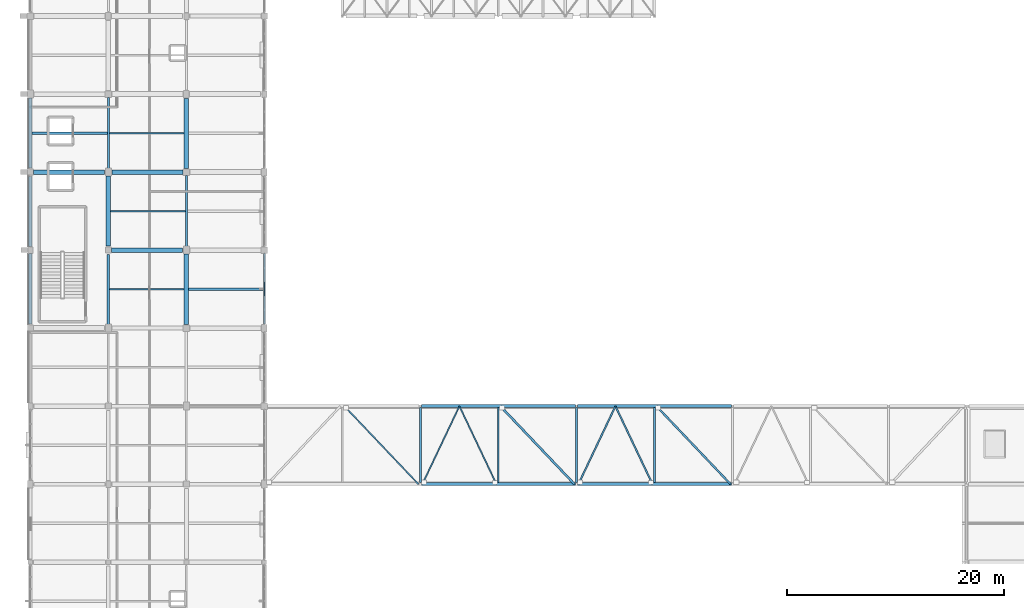
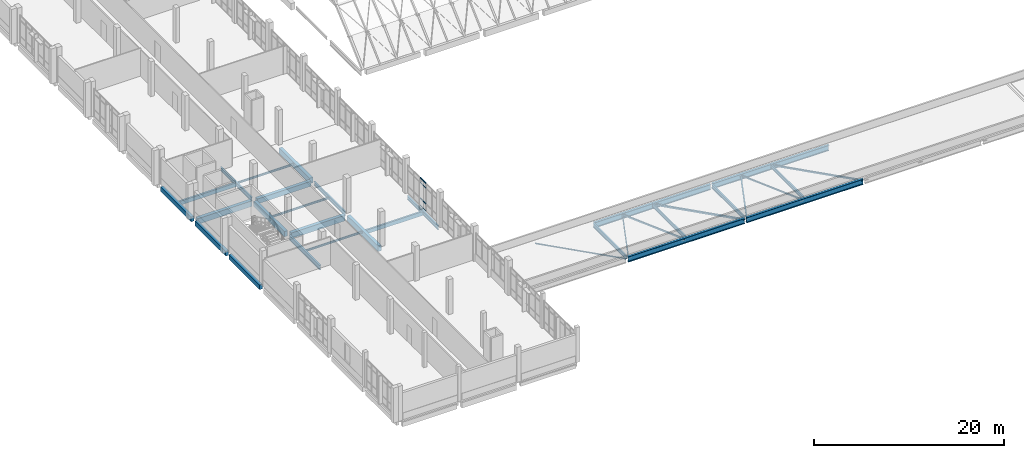
# One storey, part 15 of 87: 26 beams, 11 members, 1 element without a shape of its own.
"""IFC4 building model written with IfcOpenShell, lengths in metres."""

from ifc_helpers import new_model, si_unit, direction, frame, origin, origin_2d, place, context, subcontext, project, spatial, rectangle, hollow_rectangle, i_section, extrude, material, material_profile, profile_set, type_object, element, aggregate, save


model = new_model("IFC4")

# Units and contexts
model_context = context("Model", 3, precision=1e-05, world=origin(), true_north=direction((0.0, 1.0)))
body_context = subcontext(model_context, "Body", "Model", "MODEL_VIEW")
ifc_project = project(units=[si_unit("LENGTHUNIT", "METRE"), si_unit("AREAUNIT", "SQUARE_METRE"), si_unit("VOLUMEUNIT", "CUBIC_METRE"), si_unit("PLANEANGLEUNIT", "RADIAN"), si_unit("MASSUNIT", "GRAM", prefix="KILO")], contexts=[model_context])

# Site, building, storey
site_placement = place(None, origin())
site = spatial("IfcSite", under=ifc_project, at=site_placement, CompositionType="ELEMENT")
building_placement = place(site_placement, origin())
building = spatial("IfcBuilding", under=site, at=building_placement, Name="Kalluvel Institute of Natural Sciences", CompositionType="ELEMENT")
storey_placement = place(building_placement, frame((0.0, 0.0, 18.89990234375)))
storey = spatial("IfcBuildingStorey", under=building, at=storey_placement, Name="L04", CompositionType="ELEMENT", Elevation=18.89990234375)

# Beams
ifc_material_1 = material(Name="Steel E350 Grade 350", Category="steel")
ifc_material_profile_1 = material_profile(ifc_material_1, i_section(OverallWidth=0.14990234375, OverallDepth=0.449951171875, WebThickness=0.009521484375, FlangeThickness=0.017333984375, FilletRadius=0.014892578125, at=origin_2d()), Name="ISMB 450")
ifc_profile_set_1 = profile_set([ifc_material_profile_1], Name="Steel E350 Grade 350")
beam_type_1 = type_object("IfcBeamType", Name="BM-ISMB450", PredefinedType="BEAM", material=ifc_profile_set_1)
for number, where, z_axis, x_axis, name in (
    (1, (57.199951171875, 28.5400390625, -0.474853515625), (0.0, 1.0, 0.0), (-1.0, 0.0, 0.0), "L04 link bridge cross girder 73"),
    (2, (71.60009765625, 28.5400390625, -0.474853515625), (0.0, 1.0, 0.0), (-1.0, 0.0, 0.0), "L04 link bridge cross girder 75"),
):
    element("IfcBeam", number, at=place(storey_placement, frame(where, z_axis=z_axis, x_axis=x_axis)), inside=storey, type_object=beam_type_1, Name=name, PredefinedType="BEAM", context=body_context, shape_type="SweptSolid", body=[
        extrude(i_section(OverallWidth=0.14990234375, OverallDepth=0.449951171875, WebThickness=0.009521484375, FlangeThickness=0.017333984375, FilletRadius=0.014892578125, at=origin_2d()), origin(), (0.0, 0.0, 1.0), 6.919921875),
    ])
ifc_material_profile_2 = material_profile(ifc_material_1, i_section(OverallWidth=0.179931640625, OverallDepth=0.5, WebThickness=0.01025390625, FlangeThickness=0.01708984375, FilletRadius=0.01708984375, at=origin_2d()), Name="ISMB 500")
ifc_profile_set_2 = profile_set([ifc_material_profile_2], Name="Steel E350 Grade 350")
beam_type_2 = type_object("IfcBeamType", Name="BM-ISMB500", PredefinedType="BEAM", material=ifc_profile_set_2)
for number, where, z_axis, x_axis, name in (
    (3, (21.199951171875, 57.550048828125, -0.5498046875), (0.0, 1.0, 0.0), (-1.0, 0.0, 0.0), "L04 girder GIR-L04-NS-X212-Y572"),
    (4, (28.39990234375, 50.35009765625, -0.5498046875), (0.0, 1.0, 0.0), (-1.0, 0.0, 0.0), "L04 girder GIR-L04-NS-X284-Y500"),
):
    element("IfcBeam", number, at=place(storey_placement, frame(where, z_axis=z_axis, x_axis=x_axis)), inside=storey, type_object=beam_type_2, Name=name, PredefinedType="BEAM", context=body_context, shape_type="SweptSolid", body=[
        extrude(i_section(OverallWidth=0.179931640625, OverallDepth=0.5, WebThickness=0.01025390625, FlangeThickness=0.01708984375, FilletRadius=0.01708984375, at=origin_2d()), origin(), (0.0, 0.0, 1.0), 6.52490234375),
    ])
beam_1_placement = place(storey_placement, frame((35.60009765625, 43.199951171875, -0.5498046875), z_axis=(0.0, 1.0, 0.0), x_axis=(-1.0, 0.0, 0.0)))
element("IfcBeam", 5, at=beam_1_placement, inside=storey, type_object=beam_type_2, Name="L04 girder GIR-L04-NS-X356-Y428", PredefinedType="BEAM", context=body_context, shape_type="SweptSolid", body=[
    extrude(i_section(OverallWidth=0.179931640625, OverallDepth=0.5, WebThickness=0.01025390625, FlangeThickness=0.01708984375, FilletRadius=0.01708984375, at=origin_2d()), origin(), (0.0, 0.0, 1.0), 6.47509765625),
])
for number, where, z_axis, x_axis, name in (
    (6, (50.0, 28.5400390625, -0.5), (0.0, 1.0, 0.0), (-1.0, 0.0, 0.0), "L04 link bridge cross girder 72"),
    (7, (64.39990234375, 28.5400390625, -0.5), (0.0, 1.0, 0.0), (-1.0, 0.0, 0.0), "L04 link bridge cross girder 74"),
):
    element("IfcBeam", number, at=place(storey_placement, frame(where, z_axis=z_axis, x_axis=x_axis)), inside=storey, type_object=beam_type_2, Name=name, PredefinedType="BEAM", context=body_context, shape_type="SweptSolid", body=[
        extrude(i_section(OverallWidth=0.179931640625, OverallDepth=0.5, WebThickness=0.01025390625, FlangeThickness=0.01708984375, FilletRadius=0.01708984375, at=origin_2d()), origin(), (0.0, 0.0, 1.0), 6.919921875),
    ])
ifc_material_profile_3 = material_profile(ifc_material_1, i_section(OverallWidth=0.2099609375, OverallDepth=0.60009765625, WebThickness=0.011962890625, FlangeThickness=0.020751953125, FilletRadius=0.02001953125, at=origin_2d()), Name="ISMB 600")
ifc_profile_set_3 = profile_set([ifc_material_profile_3], Name="Steel E350 Grade 350")
beam_type_3 = type_object("IfcBeamType", Name="BM-ISMB600", PredefinedType="BEAM", material=ifc_profile_set_3)
beam_2_placement = place(storey_placement, frame((21.199951171875, 43.14990234375, -0.599853515625), z_axis=(0.0, 1.0, 0.0), x_axis=(-1.0, 0.0, 0.0)))
element("IfcBeam", 8, at=beam_2_placement, inside=storey, type_object=beam_type_3, Name="L04 girder GIR-L04-NS-X212-Y428", PredefinedType="BEAM", context=body_context, shape_type="SweptSolid", body=[
    extrude(i_section(OverallWidth=0.2099609375, OverallDepth=0.60009765625, WebThickness=0.011962890625, FlangeThickness=0.020751953125, FilletRadius=0.02001953125, at=origin_2d()), origin(), (0.0, 0.0, 1.0), 6.4501953125),
])
ifc_material_2 = material(Name="Concrete M40", Category="concrete")
ifc_material_profile_4 = material_profile(ifc_material_2, rectangle(XDim=0.39990234375, YDim=0.64990234375, at=origin_2d()), Name="RCB 400x650")
ifc_profile_set_4 = profile_set([ifc_material_profile_4], Name="Concrete M40")
beam_type_4 = type_object("IfcBeamType", Name="BM-RC400x650", PredefinedType="BEAM", material=ifc_profile_set_4)
beam_3_placement = place(storey_placement, frame((21.550048828125, 57.199951171875, -0.625), z_axis=(1.0, 0.0, 0.0), x_axis=(0.0, 1.0, 0.0)))
element("IfcBeam", 9, at=beam_3_placement, inside=storey, type_object=beam_type_4, Name="L04 girder GIR-L04-EW-X212-Y572", PredefinedType="BEAM", context=body_context, shape_type="SweptSolid", body=[
    extrude(rectangle(XDim=0.39990234375, YDim=0.64990234375, at=origin_2d()), origin(), (0.0, 0.0, 1.0), 6.52490234375),
])
ifc_material_profile_5 = material_profile(ifc_material_2, rectangle(XDim=0.39990234375, YDim=0.699951171875, at=origin_2d()), Name="RCB 400x700")
ifc_profile_set_5 = profile_set([ifc_material_profile_5], Name="Concrete M40")
beam_type_5 = type_object("IfcBeamType", Name="BM-RC400x700", PredefinedType="BEAM", material=ifc_profile_set_5)
beam_4_placement = place(storey_placement, frame((21.199951171875, 50.39990234375, -0.64990234375), z_axis=(0.0, 1.0, 0.0), x_axis=(-1.0, 0.0, 0.0)))
element("IfcBeam", 10, at=beam_4_placement, inside=storey, type_object=beam_type_5, Name="L04 girder GIR-L04-NS-X212-Y500", PredefinedType="BEAM", context=body_context, shape_type="SweptSolid", body=[
    extrude(rectangle(XDim=0.39990234375, YDim=0.699951171875, at=origin_2d()), origin(), (0.0, 0.0, 1.0), 6.4501953125),
])
beam_5_placement = place(storey_placement, frame((28.39990234375, 43.125, -0.64990234375), z_axis=(0.0, 1.0, 0.0), x_axis=(-1.0, 0.0, 0.0)))
element("IfcBeam", 11, at=beam_5_placement, inside=storey, type_object=beam_type_5, Name="L04 girder GIR-L04-NS-X284-Y428", PredefinedType="BEAM", context=body_context, shape_type="SweptSolid", body=[
    extrude(rectangle(XDim=0.39990234375, YDim=0.699951171875, at=origin_2d()), origin(), (0.0, 0.0, 1.0), 6.52490234375),
])
beam_6_placement = place(storey_placement, frame((28.39990234375, 57.52490234375, -0.64990234375), z_axis=(0.0, 1.0, 0.0), x_axis=(-1.0, 0.0, 0.0)))
element("IfcBeam", 12, at=beam_6_placement, inside=storey, type_object=beam_type_5, Name="L04 girder GIR-L04-NS-X284-Y572", PredefinedType="BEAM", context=body_context, shape_type="SweptSolid", body=[
    extrude(rectangle(XDim=0.39990234375, YDim=0.699951171875, at=origin_2d()), origin(), (0.0, 0.0, 1.0), 6.47509765625),
])
ifc_material_profile_6 = material_profile(ifc_material_2, rectangle(XDim=0.419921875, YDim=0.719970703125, at=origin_2d()), Name="RCB 420x720")
ifc_profile_set_6 = profile_set([ifc_material_profile_6], Name="Concrete M40")
beam_type_6 = type_object("IfcBeamType", Name="BM-RC420x720", PredefinedType="BEAM", material=ifc_profile_set_6)
for number, where, z_axis, x_axis, name in (
    (13, (21.5, 50.0, -0.659912109375), (1.0, 0.0, 0.0), (0.0, 1.0, 0.0), "L04 girder GIR-L04-EW-X212-Y500"),
    (14, (14.300048828125, 57.199951171875, -0.659912109375), (1.0, 0.0, 0.0), (0.0, 1.0, 0.0), "L04 girder GIR-L04-EW-X140-Y572"),
):
    element("IfcBeam", number, at=place(storey_placement, frame(where, z_axis=z_axis, x_axis=x_axis)), inside=storey, type_object=beam_type_6, Name=name, PredefinedType="BEAM", context=body_context, shape_type="SweptSolid", body=[
        extrude(rectangle(XDim=0.419921875, YDim=0.719970703125, at=origin_2d()), origin(), (0.0, 0.0, 1.0), 6.550048828125),
    ])
ifc_material_profile_7 = material_profile(ifc_material_1, i_section(OverallWidth=0.280029296875, OverallDepth=0.699951171875, WebThickness=0.013916015625, FlangeThickness=0.02392578125, FilletRadius=0.01611328125, at=origin_2d()), Name="WPG 700x280")
ifc_profile_set_7 = profile_set([ifc_material_profile_7], Name="Steel E350 Grade 350")
beam_type_7 = type_object("IfcBeamType", Name="BM-WPG700", PredefinedType="BEAM", material=ifc_profile_set_7)
for number, where, z_axis, x_axis, name in (
    (15, (50.110107421875, 28.39990234375, -0.669921875), (1.0, 0.0, 0.0), (0.0, 1.0, 0.0), "L04 link bridge main plate-girder chord 12"),
    (16, (64.510009765625, 28.39990234375, -0.669921875), (1.0, 0.0, 0.0), (0.0, 1.0, 0.0), "L04 link bridge main plate-girder chord 13"),
    (17, (50.110107421875, 35.60009765625, -0.669921875), (1.0, 0.0, 0.0), (0.0, 1.0, 0.0), "L04 link bridge main plate-girder chord 39"),
    (18, (64.510009765625, 35.60009765625, -0.669921875), (1.0, 0.0, 0.0), (0.0, 1.0, 0.0), "L04 link bridge main plate-girder chord 40"),
):
    element("IfcBeam", number, at=place(storey_placement, frame(where, z_axis=z_axis, x_axis=x_axis)), inside=storey, type_object=beam_type_7, Name=name, PredefinedType="BEAM", context=body_context, shape_type="SweptSolid", body=[
        extrude(i_section(OverallWidth=0.280029296875, OverallDepth=0.699951171875, WebThickness=0.013916015625, FlangeThickness=0.02392578125, FilletRadius=0.01611328125, at=origin_2d()), origin(), (0.0, 0.0, 1.0), 14.179931640625),
    ])

# Curtain wall, members
ifc_material_3 = material(Name="Aluminium AW-6063 T6", Category="aluminium")
curtain_wall_type = type_object("IfcCurtainWallType", Name="CW-DRY-45", PredefinedType="USERDEFINED", material=ifc_material_3)
curtain_wall_placement = place(storey_placement, origin())
curtain_wall = element("IfcCurtainWall", 19, at=curtain_wall_placement, inside=storey, type_object=curtain_wall_type, Name="L04 Gothic lancet curtain wall CWA-L04-X356-Y432", ObjectType="UNITISED LANCET FACADE", PredefinedType="USERDEFINED")
ifc_material_profile_8 = material_profile(ifc_material_3, hollow_rectangle(XDim=0.06005859375, YDim=0.1201171875, WallThickness=0.00390625, at=origin_2d()), Name="CWT 60x120")
ifc_profile_set_8 = profile_set([ifc_material_profile_8], Name="Aluminium AW-6063 T6")
member_type_1 = type_object("IfcMemberType", Name="CWT-60x120", PredefinedType="USERDEFINED", material=ifc_profile_set_8)
member_1_placement = place(storey_placement, frame((35.60009765625, 45.81005859375, 0.030029296875), z_axis=(0.0, 1.0, 0.0), x_axis=(-1.0, 0.0, 0.0)))
member_1 = element("IfcMember", 20, at=member_1_placement, type_object=member_type_1, Name="CW-03 transom 3.1", ObjectType="TRANSOM", PredefinedType="USERDEFINED", context=body_context, shape_type="SweptSolid", body=[
    extrude(hollow_rectangle(XDim=0.06005859375, YDim=0.1201171875, WallThickness=0.00390625, at=origin_2d()), origin(), (0.0, 0.0, 1.0), 1.22998046875),
])
member_2_placement = place(storey_placement, frame((35.60009765625, 45.81005859375, 0.9501953125), z_axis=(0.0, 1.0, 0.0), x_axis=(-1.0, 0.0, 0.0)))
member_2 = element("IfcMember", 21, at=member_2_placement, type_object=member_type_1, Name="CW-03 transom 3.2", ObjectType="TRANSOM", PredefinedType="USERDEFINED", context=body_context, shape_type="SweptSolid", body=[
    extrude(hollow_rectangle(XDim=0.06005859375, YDim=0.1201171875, WallThickness=0.00390625, at=origin_2d()), origin(), (0.0, 0.0, 1.0), 1.22998046875),
])
member_3_placement = place(storey_placement, frame((35.60009765625, 45.81005859375, 2.97021484375), z_axis=(0.0, 1.0, 0.0), x_axis=(-1.0, 0.0, 0.0)))
member_3 = element("IfcMember", 22, at=member_3_placement, type_object=member_type_1, Name="CW-03 transom 3.3", ObjectType="TRANSOM", PredefinedType="USERDEFINED", context=body_context, shape_type="SweptSolid", body=[
    extrude(hollow_rectangle(XDim=0.06005859375, YDim=0.1201171875, WallThickness=0.00390625, at=origin_2d()), origin(), (0.0, 0.0, 1.0), 1.22998046875),
])
member_4_placement = place(storey_placement, frame((35.60009765625, 45.81005859375, 3.590087890625), z_axis=(0.0, 1.0, 0.0), x_axis=(-1.0, 0.0, 0.0)))
member_4 = element("IfcMember", 23, at=member_4_placement, type_object=member_type_1, Name="CW-03 transom 3.4", ObjectType="TRANSOM", PredefinedType="USERDEFINED", context=body_context, shape_type="SweptSolid", body=[
    extrude(hollow_rectangle(XDim=0.06005859375, YDim=0.1201171875, WallThickness=0.00390625, at=origin_2d()), origin(), (0.0, 0.0, 1.0), 1.22998046875),
])
aggregate(curtain_wall, [member_1, member_2, member_3, member_4])

# Members
ifc_material_profile_9 = material_profile(ifc_material_1, hollow_rectangle(XDim=0.1201171875, YDim=0.199951171875, WallThickness=0.008056640625, at=origin_2d()), Name="RHS 200x120x8")
ifc_profile_set_9 = profile_set([ifc_material_profile_9], Name="Steel E350 Grade 350")
member_type_2 = type_object("IfcMemberType", Name="MB-BR-RHS200", PredefinedType="BRACE", material=ifc_profile_set_9)
for number, where, z_axis, x_axis, name in (
    (24, (50.179931640625, 28.39990234375, -0.52978515625), (0.429064311405, 0.903273943319, 0.0), (-0.903273943319, 0.429064311405, 0.0), "L04 link bridge horizontal plan brace L04-03-1"),
    (25, (53.60009765625, 35.60009765625, -0.52978515625), (0.429039321605, -0.903285813304, 0.0), (0.903285813304, 0.429039321605, 0.0), "L04 link bridge horizontal plan brace L04-03-2"),
):
    element("IfcMember", number, at=place(storey_placement, frame(where, z_axis=z_axis, x_axis=x_axis)), inside=storey, type_object=member_type_2, Name=name, PredefinedType="BRACE", context=body_context, shape_type="SweptSolid", body=[
        extrude(hollow_rectangle(XDim=0.1201171875, YDim=0.199951171875, WallThickness=0.008056640625, at=origin_2d()), origin(), (0.0, 0.0, 1.0), 7.97119140625),
    ])
ifc_material_profile_10 = material_profile(ifc_material_1, hollow_rectangle(XDim=0.1201171875, YDim=0.1201171875, WallThickness=0.006103515625, at=origin_2d()), Name="SHS 120x120x6")
ifc_profile_set_10 = profile_set([ifc_material_profile_10], Name="Steel E350 Grade 350")
member_type_3 = type_object("IfcMemberType", Name="MB-BR-SHS120", PredefinedType="BRACE", material=ifc_profile_set_10)
member_5_placement = place(storey_placement, frame((42.97998046875, 35.60009765625, -0.52978515625), z_axis=(0.688744293312, -0.725004343732, 0.0), x_axis=(0.725004343732, 0.688744293312, 0.0)))
element("IfcMember", 26, at=member_5_placement, inside=storey, type_object=member_type_3, Name="L04 link bridge horizontal plan brace L04-02-1", PredefinedType="BRACE", context=body_context, shape_type="SweptSolid", body=[
    extrude(hollow_rectangle(XDim=0.1201171875, YDim=0.1201171875, WallThickness=0.006103515625, at=origin_2d()), origin(), (0.0, 0.0, 1.0), 9.93115234375),
])
ifc_material_profile_11 = material_profile(ifc_material_1, hollow_rectangle(XDim=0.14990234375, YDim=0.14990234375, WallThickness=0.008056640625, at=origin_2d()), Name="SHS 150x150x8")
ifc_profile_set_11 = profile_set([ifc_material_profile_11], Name="Steel E350 Grade 350")
member_type_4 = type_object("IfcMemberType", Name="MB-BR-SHS150", PredefinedType="BRACE", material=ifc_profile_set_11)
for number, where, z_axis, x_axis, name in (
    (27, (64.580078125, 28.39990234375, -0.52978515625), (0.429039321605, 0.903285813304, 0.0), (-0.903285813304, 0.429039321605, 0.0), "L04 link bridge horizontal plan brace L04-05-1"),
    (28, (68.0, 35.60009765625, -0.52978515625), (0.429039321605, -0.903285813304, 0.0), (0.903285813304, 0.429039321605, 0.0), "L04 link bridge horizontal plan brace L04-05-2"),
):
    element("IfcMember", number, at=place(storey_placement, frame(where, z_axis=z_axis, x_axis=x_axis)), inside=storey, type_object=member_type_4, Name=name, PredefinedType="BRACE", context=body_context, shape_type="SweptSolid", body=[
        extrude(hollow_rectangle(XDim=0.14990234375, YDim=0.14990234375, WallThickness=0.008056640625, at=origin_2d()), origin(), (0.0, 0.0, 1.0), 7.97119140625),
    ])
ifc_material_profile_12 = material_profile(ifc_material_1, hollow_rectangle(XDim=0.179931640625, YDim=0.179931640625, WallThickness=0.010009765625, at=origin_2d()), Name="SHS 180x180x10")
ifc_profile_set_12 = profile_set([ifc_material_profile_12], Name="Steel E350 Grade 350")
member_type_5 = type_object("IfcMemberType", Name="MB-BR-SHS180", PredefinedType="BRACE", material=ifc_profile_set_12)
member_6_placement = place(storey_placement, frame((71.780029296875, 35.60009765625, -0.52978515625), z_axis=(0.688744293312, -0.725004343732, 0.0), x_axis=(0.725004343732, 0.688744293312, 0.0)))
element("IfcMember", 29, at=member_6_placement, inside=storey, type_object=member_type_5, Name="L04 link bridge horizontal plan brace L04-06-1", PredefinedType="BRACE", context=body_context, shape_type="SweptSolid", body=[
    extrude(hollow_rectangle(XDim=0.179931640625, YDim=0.179931640625, WallThickness=0.010009765625, at=origin_2d()), origin(), (0.0, 0.0, 1.0), 9.93115234375),
])
ifc_material_profile_13 = material_profile(ifc_material_1, hollow_rectangle(XDim=0.199951171875, YDim=0.199951171875, WallThickness=0.010009765625, at=origin_2d()), Name="SHS 200x200x10")
ifc_profile_set_13 = profile_set([ifc_material_profile_13], Name="Steel E350 Grade 350")
member_type_6 = type_object("IfcMemberType", Name="MB-BR-SHS200", PredefinedType="BRACE", material=ifc_profile_set_13)
member_7_placement = place(storey_placement, frame((57.3798828125, 35.60009765625, -0.52978515625), z_axis=(0.688744293312, -0.725004343732, 0.0), x_axis=(0.725004343732, 0.688744293312, 0.0)))
element("IfcMember", 30, at=member_7_placement, inside=storey, type_object=member_type_6, Name="L04 link bridge horizontal plan brace L04-04-1", PredefinedType="BRACE", context=body_context, shape_type="SweptSolid", body=[
    extrude(hollow_rectangle(XDim=0.199951171875, YDim=0.199951171875, WallThickness=0.010009765625, at=origin_2d()), origin(), (0.0, 0.0, 1.0), 9.93115234375),
])

# Beams
ifc_material_profile_14 = material_profile(ifc_material_2, rectangle(XDim=0.35009765625, YDim=0.60009765625, at=origin_2d()), Name="RCB 350x600")
ifc_profile_set_14 = profile_set([ifc_material_profile_14], Name="Concrete M40")
beam_type_8 = type_object("IfcBeamType", Name="SP-RC350x600", PredefinedType="SPANDREL", material=ifc_profile_set_14)
for number, where, z_axis, x_axis, name in (
    (31, (14.0, 43.199951171875, -0.599853515625), (0.0, 1.0, 0.0), (-1.0, 0.0, 0.0), "L04 girder GIR-L04-NS-X140-Y428"),
    (32, (14.0, 50.324951171875, -0.599853515625), (0.0, 1.0, 0.0), (-1.0, 0.0, 0.0), "L04 girder GIR-L04-NS-X140-Y500"),
):
    element("IfcBeam", number, at=place(storey_placement, frame(where, z_axis=z_axis, x_axis=x_axis)), inside=storey, type_object=beam_type_8, Name=name, PredefinedType="SPANDREL", context=body_context, shape_type="SweptSolid", body=[
        extrude(rectangle(XDim=0.35009765625, YDim=0.60009765625, at=origin_2d()), origin(), (0.0, 0.0, 1.0), 6.47509765625),
    ])
beam_7_placement = place(storey_placement, frame((14.0, 57.60009765625, -0.599853515625), z_axis=(0.0, 1.0, 0.0), x_axis=(-1.0, 0.0, 0.0)))
element("IfcBeam", 33, at=beam_7_placement, inside=storey, type_object=beam_type_8, Name="L04 girder GIR-L04-NS-X140-Y572", PredefinedType="SPANDREL", context=body_context, shape_type="SweptSolid", body=[
    extrude(rectangle(XDim=0.35009765625, YDim=0.60009765625, at=origin_2d()), origin(), (0.0, 0.0, 1.0), 6.449951171875),
])
ifc_material_profile_15 = material_profile(ifc_material_2, rectangle(XDim=0.219970703125, YDim=0.5, at=origin_2d()), Name="WAF 220x500")
ifc_profile_set_15 = profile_set([ifc_material_profile_15], Name="Concrete M40")
beam_type_9 = type_object("IfcBeamType", Name="WJ-220x500", PredefinedType="JOIST", material=ifc_profile_set_15)
beam_8_placement = place(storey_placement, frame((28.60009765625, 46.39990234375, -0.5498046875), z_axis=(1.0, 0.0, 0.0), x_axis=(0.0, 1.0, 0.0)))
element("IfcBeam", 34, at=beam_8_placement, inside=storey, type_object=beam_type_9, Name="L04 floor rib RIB-L04-0719", PredefinedType="JOIST", context=body_context, shape_type="SweptSolid", body=[
    extrude(rectangle(XDim=0.219970703125, YDim=0.5, at=origin_2d()), origin(), (0.0, 0.0, 1.0), 6.909912109375),
])
beam_9_placement = place(storey_placement, frame((14.175048828125, 60.800048828125, -0.5498046875), z_axis=(1.0, 0.0, 0.0), x_axis=(0.0, 1.0, 0.0)))
element("IfcBeam", 35, at=beam_9_placement, inside=storey, type_object=beam_type_9, Name="L04 floor rib RIB-L04-0722", PredefinedType="JOIST", context=body_context, shape_type="SweptSolid", body=[
    extrude(rectangle(XDim=0.219970703125, YDim=0.5, at=origin_2d()), origin(), (0.0, 0.0, 1.0), 6.93505859375),
])
ifc_material_profile_16 = material_profile(ifc_material_1, i_section(OverallWidth=0.125, OverallDepth=0.25, WebThickness=0.0068359375, FlangeThickness=0.012451171875, FilletRadius=0.012939453125, at=origin_2d()), Name="ISMB 250")
ifc_profile_set_16 = profile_set([ifc_material_profile_16], Name="Steel E350 Grade 350")
beam_type_10 = type_object("IfcBeamType", Name="WJ-ISMB250", PredefinedType="JOIST", material=ifc_profile_set_16)
beam_10_placement = place(storey_placement, frame((21.304931640625, 46.39990234375, -0.4248046875), z_axis=(1.0, 0.0, 0.0), x_axis=(0.0, 1.0, 0.0)))
element("IfcBeam", 36, at=beam_10_placement, inside=storey, type_object=beam_type_10, Name="L04 floor rib RIB-L04-0718", PredefinedType="JOIST", context=body_context, shape_type="SweptSolid", body=[
    extrude(i_section(OverallWidth=0.125, OverallDepth=0.25, WebThickness=0.0068359375, FlangeThickness=0.012451171875, FilletRadius=0.012939453125, at=origin_2d()), origin(), (0.0, 0.0, 1.0), 6.89501953125),
])
beam_11_placement = place(storey_placement, frame((21.39990234375, 53.60009765625, -0.4248046875), z_axis=(1.0, 0.0, 0.0), x_axis=(0.0, 1.0, 0.0)))
element("IfcBeam", 37, at=beam_11_placement, inside=storey, type_object=beam_type_10, Name="L04 floor rib RIB-L04-0720", PredefinedType="JOIST", context=body_context, shape_type="SweptSolid", body=[
    extrude(i_section(OverallWidth=0.125, OverallDepth=0.25, WebThickness=0.0068359375, FlangeThickness=0.012451171875, FilletRadius=0.012939453125, at=origin_2d()), origin(), (0.0, 0.0, 1.0), 6.91015625),
])
beam_12_placement = place(storey_placement, frame((21.2900390625, 60.800048828125, -0.4248046875), z_axis=(1.0, 0.0, 0.0), x_axis=(0.0, 1.0, 0.0)))
element("IfcBeam", 38, at=beam_12_placement, inside=storey, type_object=beam_type_10, Name="L04 floor rib RIB-L04-0723", PredefinedType="JOIST", context=body_context, shape_type="SweptSolid", body=[
    extrude(i_section(OverallWidth=0.125, OverallDepth=0.25, WebThickness=0.0068359375, FlangeThickness=0.012451171875, FilletRadius=0.012939453125, at=origin_2d()), origin(), (0.0, 0.0, 1.0), 6.909912109375),
])

save(model, "model.ifc")
